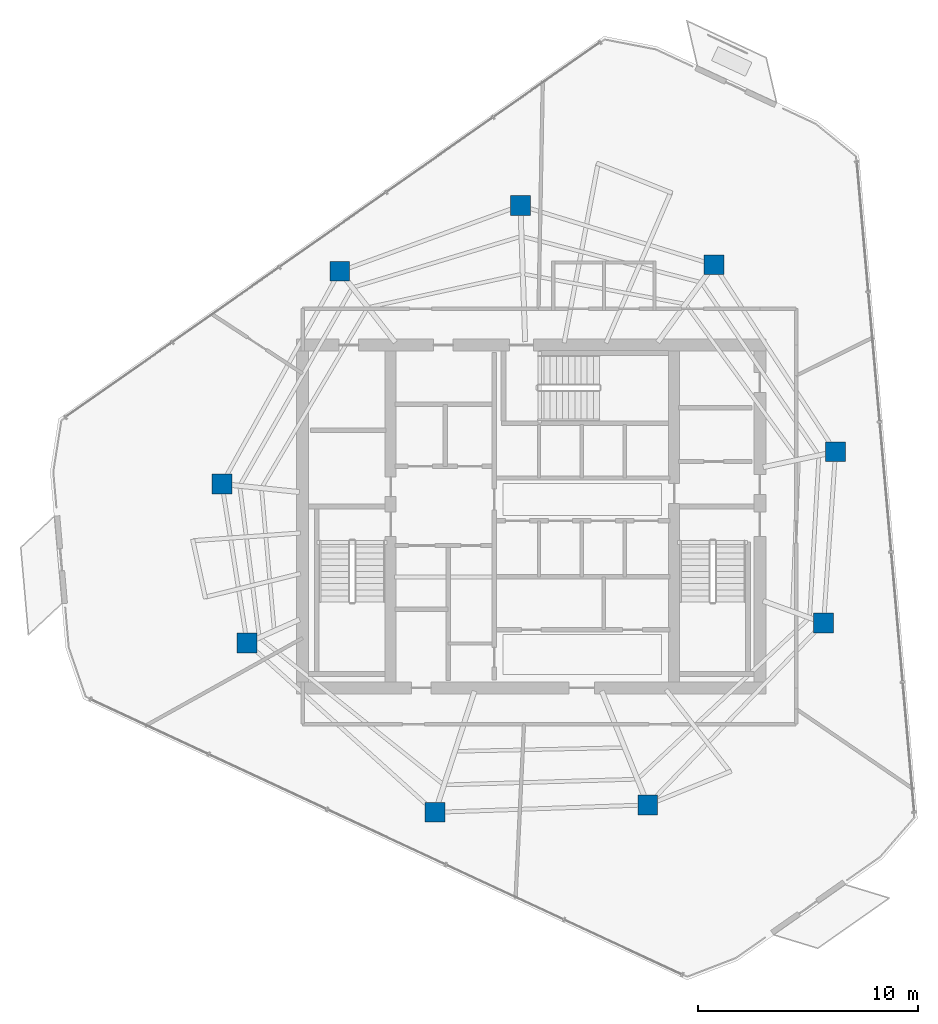
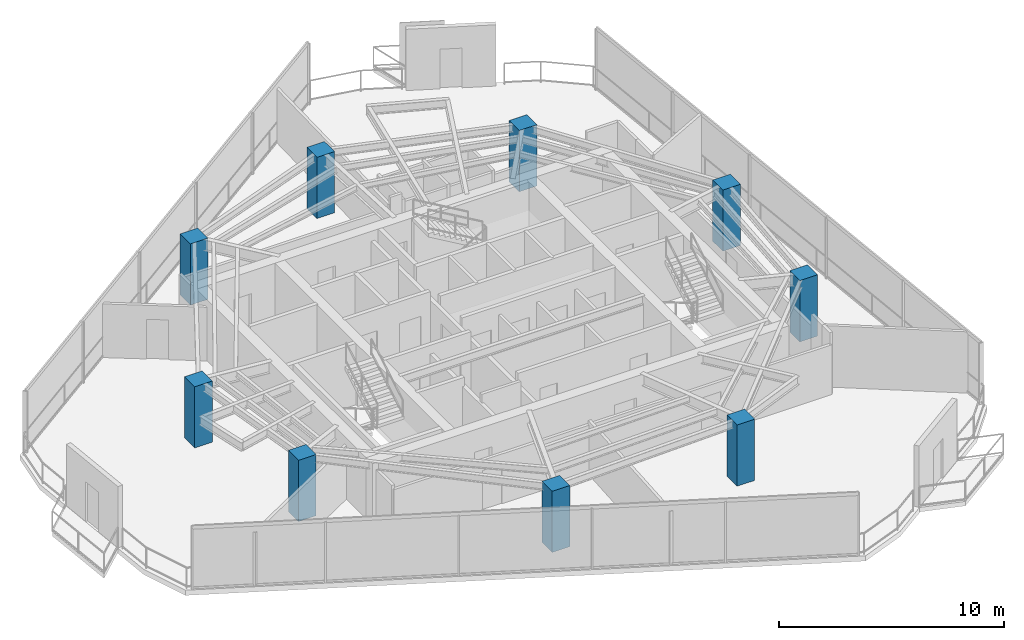
# One storey, part 1 of 20: 9 columns.
"""IFC4 building model written with IfcOpenShell, lengths in metres."""

from ifc_helpers import new_model, si_unit, direction, frame, origin, origin_2d, place, context, subcontext, project, spatial, rectangle, extrude, material, material_profile, profile_set, type_object, element, save


model = new_model("IFC4")

# Units and contexts
model_context = context("Model", 3, precision=1e-05, world=origin(), true_north=direction((0.0, 1.0)))
body_context = subcontext(model_context, "Body", "Model", "MODEL_VIEW")
ifc_project = project(units=[si_unit("LENGTHUNIT", "METRE"), si_unit("AREAUNIT", "SQUARE_METRE"), si_unit("VOLUMEUNIT", "CUBIC_METRE"), si_unit("PLANEANGLEUNIT", "RADIAN"), si_unit("MASSUNIT", "GRAM", prefix="KILO")], contexts=[model_context])

# Site, building, storey
site_placement = place(None, origin())
site = spatial("IfcSite", under=ifc_project, at=site_placement, CompositionType="ELEMENT")
building_placement = place(site_placement, origin())
building = spatial("IfcBuilding", under=site, at=building_placement, Name="Qarnah Convention Tower", CompositionType="ELEMENT")
storey_placement = place(building_placement, frame((0.0, 0.0, 198.60009765625)))
storey = spatial("IfcBuildingStorey", under=building, at=storey_placement, Name="L53", CompositionType="ELEMENT", Elevation=198.60009765625)

# Columns
ifc_material = material(Name="Concrete C50/60", Category="concrete")
ifc_material_profile = material_profile(ifc_material, rectangle(XDim=0.89990234375, YDim=0.89990234375, at=origin_2d()), Name="RC-COL-900X900")
ifc_profile_set = profile_set([ifc_material_profile], Name="Concrete C50/60")
column_type = type_object("IfcColumnType", Name="COL-Z4-900", PredefinedType="COLUMN", material=ifc_profile_set)
for number, where, z_axis, x_axis, name in (
    (1, (51.041015625, 29.342041015625, 0.0), (0.0, 0.0, 1.0), (1.0, 0.0, 0.0), "L53 plumb column PC-Z4-01"),
    (2, (45.51708984375, 37.847900390625, 0.0), (0.0, 0.0, 1.0), (1.0, 0.0, 0.0), "L53 plumb column PC-Z4-02"),
    (3, (36.7060546875, 40.541015625, 0.0), (0.0, 0.0, 1.0), (1.0, 0.0, 0.0), "L53 plumb column PC-Z4-03"),
    (4, (28.488037109375, 37.550048828125, 0.0), (0.0, 0.0, 1.0), (1.0, 0.0, 0.0), "L53 plumb column PC-Z4-04"),
    (5, (23.1279296875, 27.87890625, 0.0), (0.0, 0.0, 1.0), (1.0, 0.0, 0.0), "L53 plumb column PC-Z4-05"),
    (6, (24.27294921875, 20.64501953125, 0.0), (0.0, 0.0, 1.0), (1.0, 0.0, 0.0), "L53 plumb column PC-Z4-06"),
    (7, (32.826904296875, 12.943115234375, 0.0), (0.0, 0.0, 1.0), (1.0, 0.0, 0.0), "L53 plumb column PC-Z4-07"),
    (8, (42.5009765625, 13.280029296875, 0.0), (0.0, 0.0, 1.0), (1.0, 0.0, 0.0), "L53 plumb column PC-Z4-08"),
    (9, (50.4970703125, 21.56005859375, 0.0), (0.0, 0.0, 1.0), (1.0, 0.0, 0.0), "L53 plumb column PC-Z4-09"),
):
    element("IfcColumn", number, at=place(storey_placement, frame(where, z_axis=z_axis, x_axis=x_axis)), inside=storey, type_object=column_type, Name=name, PredefinedType="COLUMN", context=body_context, shape_type="SweptSolid", body=[
        extrude(rectangle(XDim=0.89990234375, YDim=0.89990234375, at=origin_2d()), origin(), (0.0, 0.0, 1.0), 3.31982421875),
    ])

save(model, "model.ifc")
